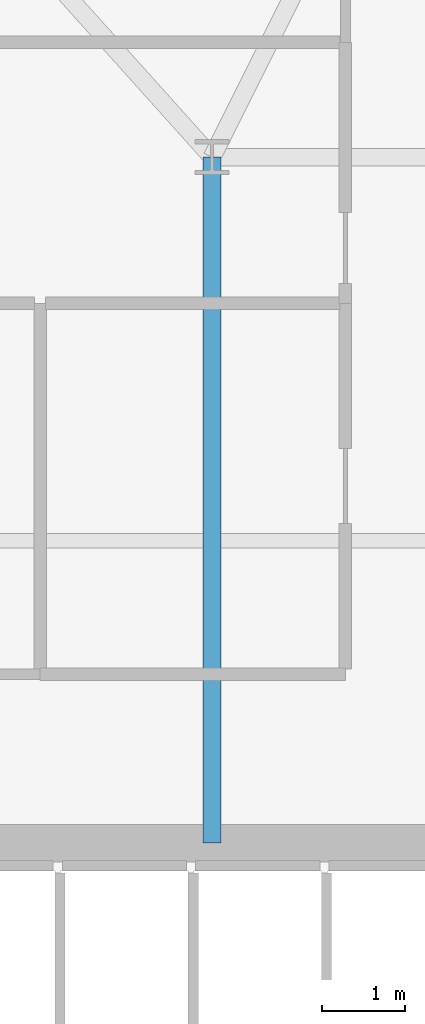
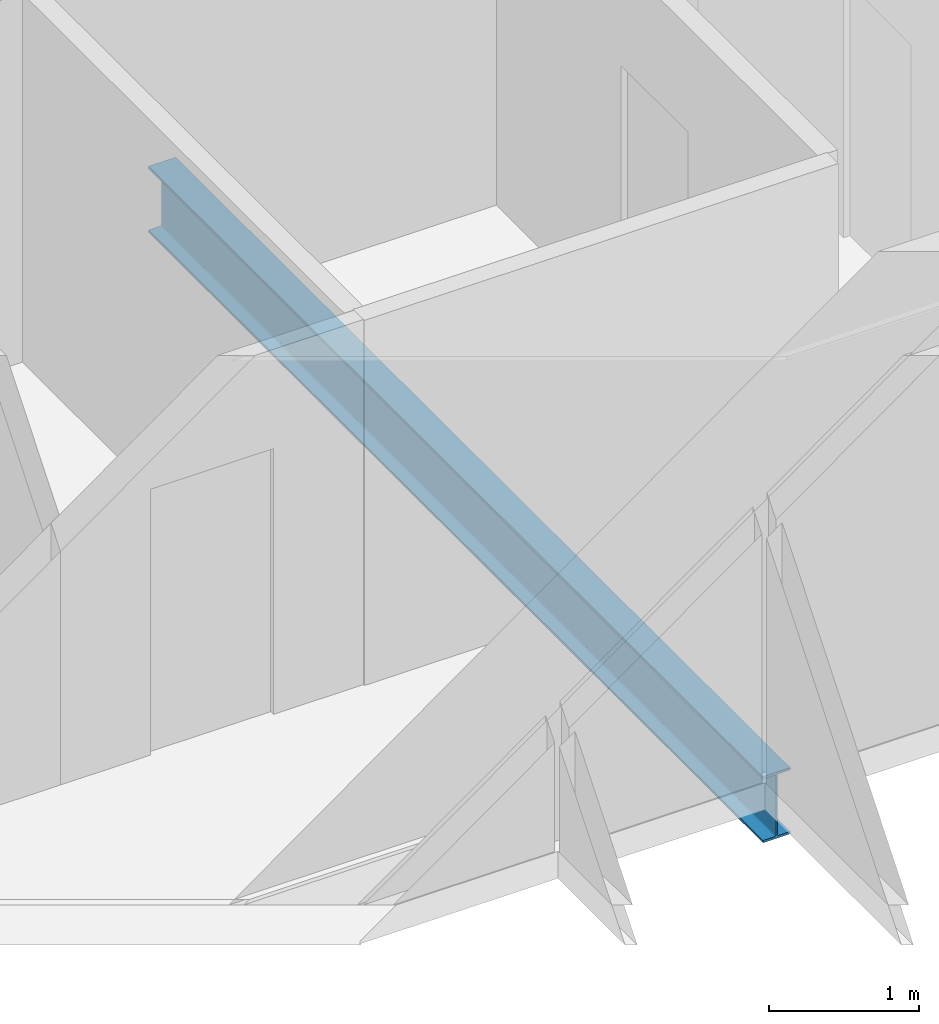
# One storey, part 6 of 32: 1 beam.
"""IFC4 building model written with IfcOpenShell, lengths in metres."""

from ifc_helpers import new_model, si_unit, direction, frame, origin, origin_2d, place, context, subcontext, project, spatial, i_section, extrude, material, material_profile, profile_set, type_object, element, save


model = new_model("IFC4")

# Units and contexts
model_context = context("Model", 3, precision=1e-05, world=origin(), true_north=direction((0.0, 1.0)))
body_context = subcontext(model_context, "Body", "Model", "MODEL_VIEW")
ifc_project = project(units=[si_unit("LENGTHUNIT", "METRE"), si_unit("AREAUNIT", "SQUARE_METRE"), si_unit("VOLUMEUNIT", "CUBIC_METRE"), si_unit("PLANEANGLEUNIT", "RADIAN"), si_unit("MASSUNIT", "GRAM", prefix="KILO")], contexts=[model_context])

# Site, building, storey
site_placement = place(None, origin())
site = spatial("IfcSite", under=ifc_project, at=site_placement, CompositionType="ELEMENT")
building_placement = place(site_placement, origin())
building = spatial("IfcBuilding", under=site, at=building_placement, Name="Ndaravel Arena Tower", CompositionType="ELEMENT")
storey_placement = place(building_placement, frame((0.0, 0.0, 130.800048828125)))
storey = spatial("IfcBuildingStorey", under=building, at=storey_placement, Name="L30", CompositionType="ELEMENT", Elevation=130.800048828125)

# Beam
ifc_material = material(Name="Steel S355", Category="steel")
ifc_material_profile = material_profile(ifc_material, i_section(OverallWidth=0.210693359375, OverallDepth=0.53955078125, WebThickness=0.01171875, FlangeThickness=0.018798828125, FilletRadius=0.0126953125, at=origin_2d()), Name="UB 533x210x109")
ifc_profile_set = profile_set([ifc_material_profile], Name="Steel S355")
beam_type = type_object("IfcBeamType", Name="BM-GIRD-UB533", PredefinedType="BEAM", material=ifc_profile_set)
beam_placement = place(storey_placement, frame((34.199951171875, 14.97998046875, -0.48974609375), z_axis=(0.0, 1.0, 0.0), x_axis=(-1.0, 0.0, 0.0)))
element("IfcBeam", 1, at=beam_placement, inside=storey, type_object=beam_type, Name="L30 Spine Link Girder SLG-01", PredefinedType="BEAM", context=body_context, shape_type="SweptSolid", body=[
    extrude(i_section(OverallWidth=0.210693359375, OverallDepth=0.53955078125, WebThickness=0.01171875, FlangeThickness=0.018798828125, FilletRadius=0.0126953125, at=origin_2d()), origin(), (0.0, 0.0, 1.0), 8.219970703125),
])

save(model, "model.ifc")
